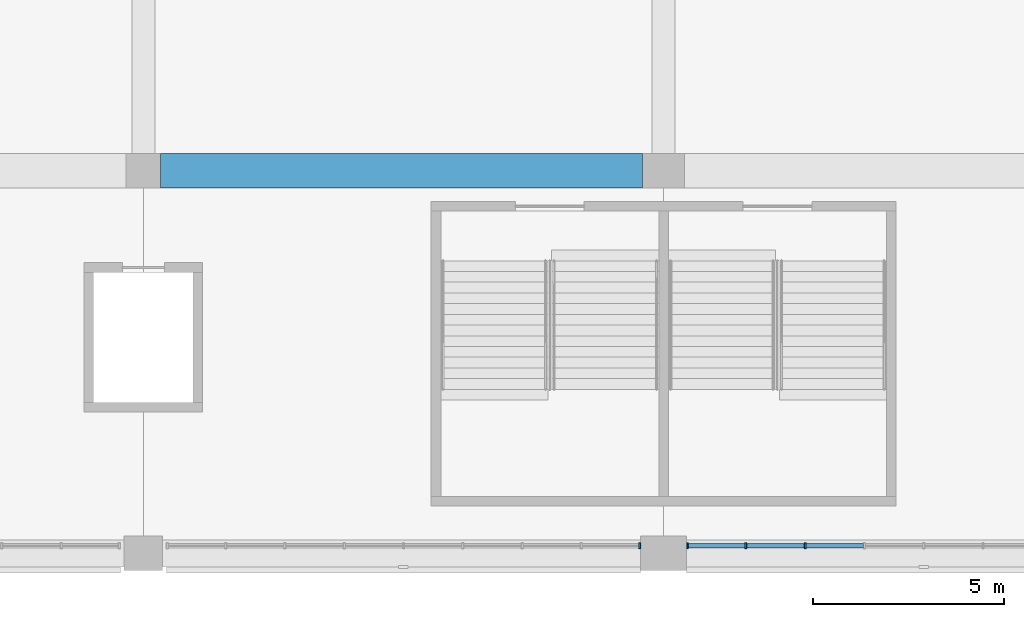
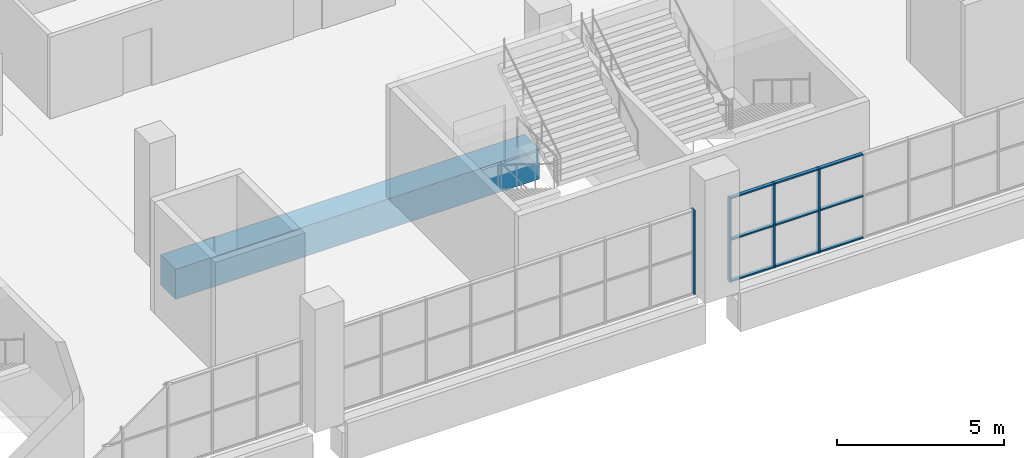
# One storey, part 12 of 199: 13 members, 1 beam, 2 elements without a shape of their own.
"""IFC4 building model written with IfcOpenShell, lengths in metres."""

from ifc_helpers import new_model, si_unit, direction, frame, origin, origin_2d, place, context, subcontext, project, spatial, rectangle, extrude, material, material_profile, profile_set, type_object, element, aggregate, save


model = new_model("IFC4")

# Units and contexts
model_context = context("Model", 3, precision=1e-05, world=origin(), true_north=direction((0.0, 1.0)))
body_context = subcontext(model_context, "Body", "Model", "MODEL_VIEW")
ifc_project = project(units=[si_unit("LENGTHUNIT", "METRE"), si_unit("AREAUNIT", "SQUARE_METRE"), si_unit("VOLUMEUNIT", "CUBIC_METRE"), si_unit("PLANEANGLEUNIT", "RADIAN"), si_unit("MASSUNIT", "GRAM", prefix="KILO")], contexts=[model_context])

# Site, building, storey
site_placement = place(None, origin())
site = spatial("IfcSite", under=ifc_project, at=site_placement, CompositionType="ELEMENT")
building_placement = place(site_placement, origin())
building = spatial("IfcBuilding", under=site, at=building_placement, Name="Ogive Plaza Stadium", CompositionType="ELEMENT")
storey_placement = place(building_placement, frame((0.0, 0.0, 4.5)))
storey = spatial("IfcBuildingStorey", under=building, at=storey_placement, Name="L01", CompositionType="ELEMENT", Elevation=4.5)

# Curtain wall, members
ifc_material_1 = material(Name="Bronze-anodised aluminium with laminated glass", Category="aluminium")
curtain_wall_type = type_object("IfcCurtainWallType", Name="Lancet curtain wall", PredefinedType="NOTDEFINED", material=ifc_material_1)
curtain_wall_1_placement = place(storey_placement, origin())
curtain_wall_1 = element("IfcCurtainWall", 1, at=curtain_wall_1_placement, inside=storey, type_object=curtain_wall_type, Name="CURTAIN WALL B13 L01", PredefinedType="NOTDEFINED")
ifc_material_2 = material(Name="Bronze-anodised aluminium", Category="aluminium")
ifc_material_profile_1 = material_profile(ifc_material_2, rectangle(XDim=0.14990234375, YDim=0.050048828125, at=origin_2d()), Name="AL 150x50")
ifc_profile_set_1 = profile_set([ifc_material_profile_1], Name="Bronze-anodised aluminium")
member_type_1 = type_object("IfcMemberType", Name="Curtain wall mullion 50x150", PredefinedType="MULLION", material=ifc_profile_set_1)
member_1_placement = place(storey_placement, frame((10.5, -102.300048828125, 0.0), z_axis=(0.0, 0.0, 1.0), x_axis=(0.0, -1.0, 0.0)))
member_1 = element("IfcMember", 2, at=member_1_placement, type_object=member_type_1, Name="CW-B13-L01 mullion 7", PredefinedType="MULLION", context=body_context, shape_type="SweptSolid", body=[
    extrude(rectangle(XDim=0.14990234375, YDim=0.050048828125, at=origin_2d()), origin(), (0.0, 0.0, 1.0), 3.090087890625),
])
member_2_placement = place(storey_placement, frame((8.949951171875, -102.300048828125, 0.0), z_axis=(0.0, 0.0, 1.0), x_axis=(0.0, -1.0, 0.0)))
member_2 = element("IfcMember", 3, at=member_2_placement, type_object=member_type_1, Name="CW-B13-L01 mullion 8", PredefinedType="MULLION", context=body_context, shape_type="SweptSolid", body=[
    extrude(rectangle(XDim=0.14990234375, YDim=0.050048828125, at=origin_2d()), origin(), (0.0, 0.0, 1.0), 3.090087890625),
])
member_3_placement = place(storey_placement, frame((7.425048828125, -102.300048828125, 0.0), z_axis=(0.0, 0.0, 1.0), x_axis=(0.0, -1.0, 0.0)))
member_3 = element("IfcMember", 4, at=member_3_placement, type_object=member_type_1, Name="CW-B13-L01 mullion 9", PredefinedType="MULLION", context=body_context, shape_type="SweptSolid", body=[
    extrude(rectangle(XDim=0.14990234375, YDim=0.050048828125, at=origin_2d()), origin(), (0.0, 0.0, 1.0), 3.090087890625),
])

# Curtain wall, member
curtain_wall_2_placement = place(storey_placement, origin())
curtain_wall_2 = element("IfcCurtainWall", 5, at=curtain_wall_2_placement, inside=storey, type_object=curtain_wall_type, Name="CURTAIN WALL B14 L01", PredefinedType="NOTDEFINED")
member_4_placement = place(storey_placement, frame((6.175048828125, -102.300048828125, 0.0), z_axis=(0.0, 0.0, 1.0), x_axis=(0.0, -1.0, 0.0)))
member_4 = element("IfcMember", 6, at=member_4_placement, type_object=member_type_1, Name="CW-B14-L01 mullion 1", PredefinedType="MULLION", context=body_context, shape_type="SweptSolid", body=[
    extrude(rectangle(XDim=0.14990234375, YDim=0.050048828125, at=origin_2d()), origin(), (0.0, 0.0, 1.0), 3.090087890625),
])
aggregate(curtain_wall_2, [member_4])

# Member
ifc_material_3 = material(Name="Bronze-anodised aluminium", Category="aluminium")
ifc_material_profile_2 = material_profile(ifc_material_3, rectangle(XDim=0.1201171875, YDim=0.050048828125, at=origin_2d()), Name="AL 120x50")
ifc_profile_set_2 = profile_set([ifc_material_profile_2], Name="Bronze-anodised aluminium")
member_type_2 = type_object("IfcMemberType", Name="Curtain wall transom 50x120", PredefinedType="USERDEFINED", material=ifc_profile_set_2)
member_5_placement = place(storey_placement, frame((12.02490234375, -102.300048828125, 0.02490234375), z_axis=(-1.0, 0.0, 0.0), x_axis=(0.0, -1.0, 0.0)))
member_5 = element("IfcMember", 7, at=member_5_placement, type_object=member_type_2, Name="CW-B13-L01 transom 6.1", ObjectType="TRANSOM", PredefinedType="USERDEFINED", context=body_context, shape_type="SweptSolid", body=[
    extrude(rectangle(XDim=0.1201171875, YDim=0.050048828125, at=origin_2d()), origin(), (0.0, 0.0, 1.0), 1.5),
])

member_6_placement = place(storey_placement, frame((12.02490234375, -102.300048828125, 1.544921875), z_axis=(-1.0, 0.0, 0.0), x_axis=(0.0, -1.0, 0.0)))
member_6 = element("IfcMember", 8, at=member_6_placement, type_object=member_type_2, Name="CW-B13-L01 transom 6.2", ObjectType="TRANSOM", PredefinedType="USERDEFINED", context=body_context, shape_type="SweptSolid", body=[
    extrude(rectangle(XDim=0.1201171875, YDim=0.050048828125, at=origin_2d()), origin(), (0.0, 0.0, 1.0), 1.5),
])

member_7_placement = place(storey_placement, frame((12.02490234375, -102.300048828125, 3.06494140625), z_axis=(-1.0, 0.0, 0.0), x_axis=(0.0, -1.0, 0.0)))
member_7 = element("IfcMember", 9, at=member_7_placement, type_object=member_type_2, Name="CW-B13-L01 transom 6.3", ObjectType="TRANSOM", PredefinedType="USERDEFINED", context=body_context, shape_type="SweptSolid", body=[
    extrude(rectangle(XDim=0.1201171875, YDim=0.050048828125, at=origin_2d()), origin(), (0.0, 0.0, 1.0), 1.5),
])

member_8_placement = place(storey_placement, frame((10.47509765625, -102.300048828125, 0.02490234375), z_axis=(-1.0, 0.0, 0.0), x_axis=(0.0, -1.0, 0.0)))
member_8 = element("IfcMember", 10, at=member_8_placement, type_object=member_type_2, Name="CW-B13-L01 transom 7.1", ObjectType="TRANSOM", PredefinedType="USERDEFINED", context=body_context, shape_type="SweptSolid", body=[
    extrude(rectangle(XDim=0.1201171875, YDim=0.050048828125, at=origin_2d()), origin(), (0.0, 0.0, 1.0), 1.5),
])

member_9_placement = place(storey_placement, frame((10.47509765625, -102.300048828125, 1.544921875), z_axis=(-1.0, 0.0, 0.0), x_axis=(0.0, -1.0, 0.0)))
member_9 = element("IfcMember", 11, at=member_9_placement, type_object=member_type_2, Name="CW-B13-L01 transom 7.2", ObjectType="TRANSOM", PredefinedType="USERDEFINED", context=body_context, shape_type="SweptSolid", body=[
    extrude(rectangle(XDim=0.1201171875, YDim=0.050048828125, at=origin_2d()), origin(), (0.0, 0.0, 1.0), 1.5),
])

member_10_placement = place(storey_placement, frame((10.47509765625, -102.300048828125, 3.06494140625), z_axis=(-1.0, 0.0, 0.0), x_axis=(0.0, -1.0, 0.0)))
member_10 = element("IfcMember", 12, at=member_10_placement, type_object=member_type_2, Name="CW-B13-L01 transom 7.3", ObjectType="TRANSOM", PredefinedType="USERDEFINED", context=body_context, shape_type="SweptSolid", body=[
    extrude(rectangle(XDim=0.1201171875, YDim=0.050048828125, at=origin_2d()), origin(), (0.0, 0.0, 1.0), 1.5),
])

member_11_placement = place(storey_placement, frame((8.925048828125, -102.300048828125, 0.02490234375), z_axis=(-1.0, 0.0, 0.0), x_axis=(0.0, -1.0, 0.0)))
member_11 = element("IfcMember", 13, at=member_11_placement, type_object=member_type_2, Name="CW-B13-L01 transom 8.1", ObjectType="TRANSOM", PredefinedType="USERDEFINED", context=body_context, shape_type="SweptSolid", body=[
    extrude(rectangle(XDim=0.1201171875, YDim=0.050048828125, at=origin_2d()), origin(), (0.0, 0.0, 1.0), 1.47509765625),
])

member_12_placement = place(storey_placement, frame((8.925048828125, -102.300048828125, 1.544921875), z_axis=(-1.0, 0.0, 0.0), x_axis=(0.0, -1.0, 0.0)))
member_12 = element("IfcMember", 14, at=member_12_placement, type_object=member_type_2, Name="CW-B13-L01 transom 8.2", ObjectType="TRANSOM", PredefinedType="USERDEFINED", context=body_context, shape_type="SweptSolid", body=[
    extrude(rectangle(XDim=0.1201171875, YDim=0.050048828125, at=origin_2d()), origin(), (0.0, 0.0, 1.0), 1.47509765625),
])

member_13_placement = place(storey_placement, frame((8.925048828125, -102.300048828125, 3.06494140625), z_axis=(-1.0, 0.0, 0.0), x_axis=(0.0, -1.0, 0.0)))
member_13 = element("IfcMember", 15, at=member_13_placement, type_object=member_type_2, Name="CW-B13-L01 transom 8.3", ObjectType="TRANSOM", PredefinedType="USERDEFINED", context=body_context, shape_type="SweptSolid", body=[
    extrude(rectangle(XDim=0.1201171875, YDim=0.050048828125, at=origin_2d()), origin(), (0.0, 0.0, 1.0), 1.47509765625),
])

aggregate(curtain_wall_1, [member_1, member_2, member_3, member_5, member_6, member_7, member_8, member_9, member_10, member_11, member_12, member_13])

# Beam
ifc_material_4 = material(Name="Concrete C40/50", Category="concrete")
ifc_material_profile_3 = material_profile(ifc_material_4, rectangle(XDim=0.89990234375, YDim=1.10009765625, at=origin_2d()), Name="RC 900x1100")
ifc_profile_set_3 = profile_set([ifc_material_profile_3], Name="Concrete C40/50")
beam_type = type_object("IfcBeamType", Name="RC ring beam 900x1100", PredefinedType="BEAM", material=ifc_profile_set_3)
beam_placement = place(storey_placement, frame((6.25, -92.5, -0.9599609375), z_axis=(-1.0, 0.0, 0.0), x_axis=(0.0, -1.0, 0.0)))
element("IfcBeam", 16, at=beam_placement, inside=storey, type_object=beam_type, Name="Ring beam F4 L01 B14", PredefinedType="BEAM", context=body_context, shape_type="SweptSolid", body=[
    extrude(rectangle(XDim=0.89990234375, YDim=1.10009765625, at=origin_2d()), origin(), (0.0, 0.0, 1.0), 12.60009765625),
])

save(model, "model.ifc")
